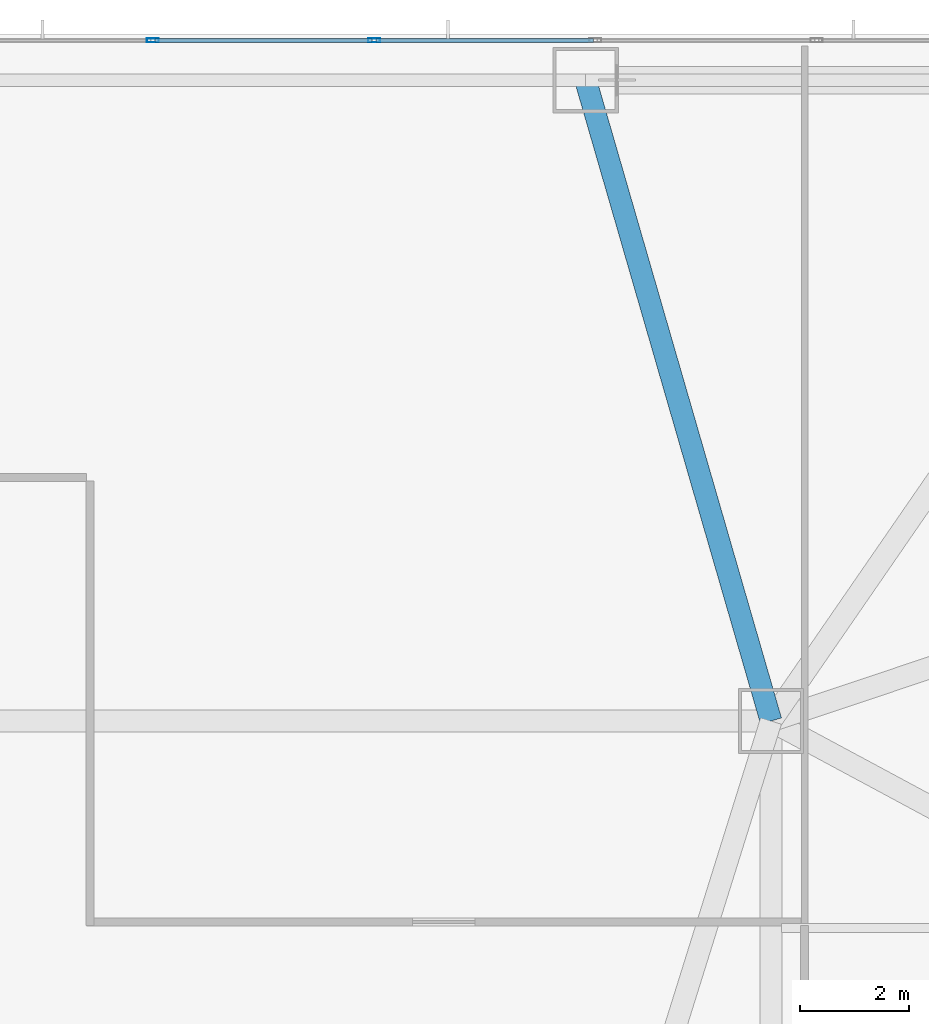
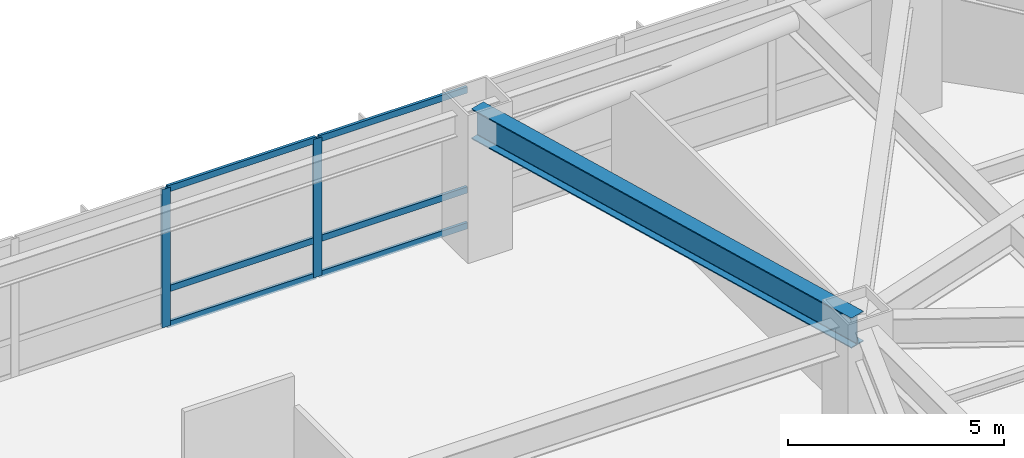
# One storey, part 13 of 32: 8 members, 1 beam, 1 element without a shape of its own.
"""IFC4 building model written with IfcOpenShell, lengths in metres."""

from ifc_helpers import new_model, si_unit, direction, frame, origin, origin_2d, place, context, subcontext, project, spatial, hollow_rectangle, i_section, extrude, material, material_profile, profile_set, type_object, element, aggregate, save


model = new_model("IFC4")

# Units and contexts
model_context = context("Model", 3, precision=1e-05, world=origin(), true_north=direction((0.0, 1.0)))
body_context = subcontext(model_context, "Body", "Model", "MODEL_VIEW")
ifc_project = project(units=[si_unit("LENGTHUNIT", "METRE"), si_unit("AREAUNIT", "SQUARE_METRE"), si_unit("VOLUMEUNIT", "CUBIC_METRE"), si_unit("PLANEANGLEUNIT", "RADIAN"), si_unit("MASSUNIT", "GRAM", prefix="KILO")], contexts=[model_context])

# Site, building, storey
site_placement = place(None, origin())
site = spatial("IfcSite", under=ifc_project, at=site_placement, CompositionType="ELEMENT")
building_placement = place(site_placement, origin())
building = spatial("IfcBuilding", under=site, at=building_placement, Name="Khamvora Tower", CompositionType="ELEMENT")
storey_placement = place(building_placement, frame((0.0, 0.0, 12.0)))
storey = spatial("IfcBuildingStorey", under=building, at=storey_placement, Name="L02", CompositionType="ELEMENT", Elevation=12.0)

# Beam
ifc_material_1 = material(Name="Steel S355", Category="steel")
ifc_material_profile_1 = material_profile(ifc_material_1, i_section(OverallWidth=0.39990234375, OverallDepth=0.85498046875, WebThickness=0.01806640625, FlangeThickness=0.029052734375, FilletRadius=0.01806640625, at=origin_2d()), Name="W840x299")
ifc_profile_set_1 = profile_set([ifc_material_profile_1], Name="Steel S355")
beam_type = type_object("IfcBeamType", Name="BM-PG-W840x299", PredefinedType="BEAM", material=ifc_profile_set_1)
beam_placement = place(storey_placement, frame((41.39990234375, 43.39990234375, 3.491943359375), z_axis=(-0.277951455854, 0.960595121885, 0.0), x_axis=(-0.960595121885, -0.277951455854, 0.0)))
element("IfcBeam", 1, at=beam_placement, inside=storey, type_object=beam_type, Name="L02 primary floor girder P07", PredefinedType="BEAM", context=body_context, shape_type="SweptSolid", body=[
    extrude(i_section(OverallWidth=0.39990234375, OverallDepth=0.85498046875, WebThickness=0.01806640625, FlangeThickness=0.029052734375, FilletRadius=0.01806640625, at=origin_2d()), origin(), (0.0, 0.0, 1.0), 12.23193359375),
])

# Curtain wall, members
ifc_material_2 = material(Name="Anodised Aluminium 6063-T6", Category="aluminium")
curtain_wall_type = type_object("IfcCurtainWallType", Name="CW-SYS-01", PredefinedType="NOTDEFINED", material=ifc_material_2)
curtain_wall_placement = place(storey_placement, origin())
curtain_wall = element("IfcCurtainWall", 2, at=curtain_wall_placement, inside=storey, type_object=curtain_wall_type, Name="L02 stick curtain wall 07.1", PredefinedType="NOTDEFINED")
ifc_material_profile_2 = material_profile(ifc_material_2, hollow_rectangle(XDim=0.074951171875, YDim=0.219970703125, WallThickness=0.0048828125, at=origin_2d()), Name="MUL75x220x5")
ifc_profile_set_2 = profile_set([ifc_material_profile_2], Name="Anodised Aluminium 6063-T6")
member_type_1 = type_object("IfcMemberType", Name="CW-SYS-01-MUL", PredefinedType="MULLION", material=ifc_profile_set_2)
member_1_placement = place(storey_placement, frame((30.06689453125, 55.8798828125, 0.0), z_axis=(0.0, 0.0, 1.0), x_axis=(0.0, 1.0, 0.0)))
member_1 = element("IfcMember", 3, at=member_1_placement, type_object=member_type_1, Name="CW-01 mullion 7", PredefinedType="MULLION", context=body_context, shape_type="SweptSolid", body=[
    extrude(hollow_rectangle(XDim=0.074951171875, YDim=0.219970703125, WallThickness=0.0048828125, at=origin_2d()), origin(), (0.0, 0.0, 1.0), 3.919921875),
])
member_2_placement = place(storey_placement, frame((34.12353515625, 55.8798828125, 0.0), z_axis=(0.0, 0.0, 1.0), x_axis=(0.0, 1.0, 0.0)))
member_2 = element("IfcMember", 4, at=member_2_placement, type_object=member_type_1, Name="CW-01 mullion 8", PredefinedType="MULLION", context=body_context, shape_type="SweptSolid", body=[
    extrude(hollow_rectangle(XDim=0.074951171875, YDim=0.219970703125, WallThickness=0.0048828125, at=origin_2d()), origin(), (0.0, 0.0, 1.0), 3.919921875),
])
ifc_material_profile_3 = material_profile(ifc_material_2, hollow_rectangle(XDim=0.074951171875, YDim=0.179931640625, WallThickness=0.0048828125, at=origin_2d()), Name="TRN75x180x5")
ifc_profile_set_3 = profile_set([ifc_material_profile_3], Name="Anodised Aluminium 6063-T6")
member_type_2 = type_object("IfcMemberType", Name="CW-SYS-01-TRN", PredefinedType="USERDEFINED", material=ifc_profile_set_3)
member_3_placement = place(storey_placement, frame((30.104248046875, 55.8798828125, 0.03759765625), z_axis=(1.0, 0.0, 0.0), x_axis=(0.0, 1.0, 0.0)))
member_3 = element("IfcMember", 5, at=member_3_placement, type_object=member_type_2, Name="CW-01 transom 7.1", ObjectType="TRANSOM", PredefinedType="USERDEFINED", context=body_context, shape_type="SweptSolid", body=[
    extrude(hollow_rectangle(XDim=0.074951171875, YDim=0.179931640625, WallThickness=0.0048828125, at=origin_2d()), origin(), (0.0, 0.0, 1.0), 3.981689453125),
])
member_4_placement = place(storey_placement, frame((30.104248046875, 55.8798828125, 1.050048828125), z_axis=(1.0, 0.0, 0.0), x_axis=(0.0, 1.0, 0.0)))
member_4 = element("IfcMember", 6, at=member_4_placement, type_object=member_type_2, Name="CW-01 transom 7.2", ObjectType="TRANSOM", PredefinedType="USERDEFINED", context=body_context, shape_type="SweptSolid", body=[
    extrude(hollow_rectangle(XDim=0.074951171875, YDim=0.179931640625, WallThickness=0.0048828125, at=origin_2d()), origin(), (0.0, 0.0, 1.0), 3.981689453125),
])
member_5_placement = place(storey_placement, frame((30.104248046875, 55.8798828125, 3.882568359375), z_axis=(1.0, 0.0, 0.0), x_axis=(0.0, 1.0, 0.0)))
member_5 = element("IfcMember", 7, at=member_5_placement, type_object=member_type_2, Name="CW-01 transom 7.3", ObjectType="TRANSOM", PredefinedType="USERDEFINED", context=body_context, shape_type="SweptSolid", body=[
    extrude(hollow_rectangle(XDim=0.074951171875, YDim=0.179931640625, WallThickness=0.0048828125, at=origin_2d()), origin(), (0.0, 0.0, 1.0), 3.981689453125),
])
member_6_placement = place(storey_placement, frame((34.160888671875, 55.8798828125, 0.03759765625), z_axis=(1.0, 0.0, 0.0), x_axis=(0.0, 1.0, 0.0)))
member_6 = element("IfcMember", 8, at=member_6_placement, type_object=member_type_2, Name="CW-01 transom 8.1", ObjectType="TRANSOM", PredefinedType="USERDEFINED", context=body_context, shape_type="SweptSolid", body=[
    extrude(hollow_rectangle(XDim=0.074951171875, YDim=0.179931640625, WallThickness=0.0048828125, at=origin_2d()), origin(), (0.0, 0.0, 1.0), 3.981689453125),
])
member_7_placement = place(storey_placement, frame((34.160888671875, 55.8798828125, 1.050048828125), z_axis=(1.0, 0.0, 0.0), x_axis=(0.0, 1.0, 0.0)))
member_7 = element("IfcMember", 9, at=member_7_placement, type_object=member_type_2, Name="CW-01 transom 8.2", ObjectType="TRANSOM", PredefinedType="USERDEFINED", context=body_context, shape_type="SweptSolid", body=[
    extrude(hollow_rectangle(XDim=0.074951171875, YDim=0.179931640625, WallThickness=0.0048828125, at=origin_2d()), origin(), (0.0, 0.0, 1.0), 3.981689453125),
])
member_8_placement = place(storey_placement, frame((34.160888671875, 55.8798828125, 3.882568359375), z_axis=(1.0, 0.0, 0.0), x_axis=(0.0, 1.0, 0.0)))
member_8 = element("IfcMember", 10, at=member_8_placement, type_object=member_type_2, Name="CW-01 transom 8.3", ObjectType="TRANSOM", PredefinedType="USERDEFINED", context=body_context, shape_type="SweptSolid", body=[
    extrude(hollow_rectangle(XDim=0.074951171875, YDim=0.179931640625, WallThickness=0.0048828125, at=origin_2d()), origin(), (0.0, 0.0, 1.0), 3.981689453125),
])
aggregate(curtain_wall, [member_1, member_2, member_3, member_4, member_5, member_6, member_7, member_8])

save(model, "model.ifc")
